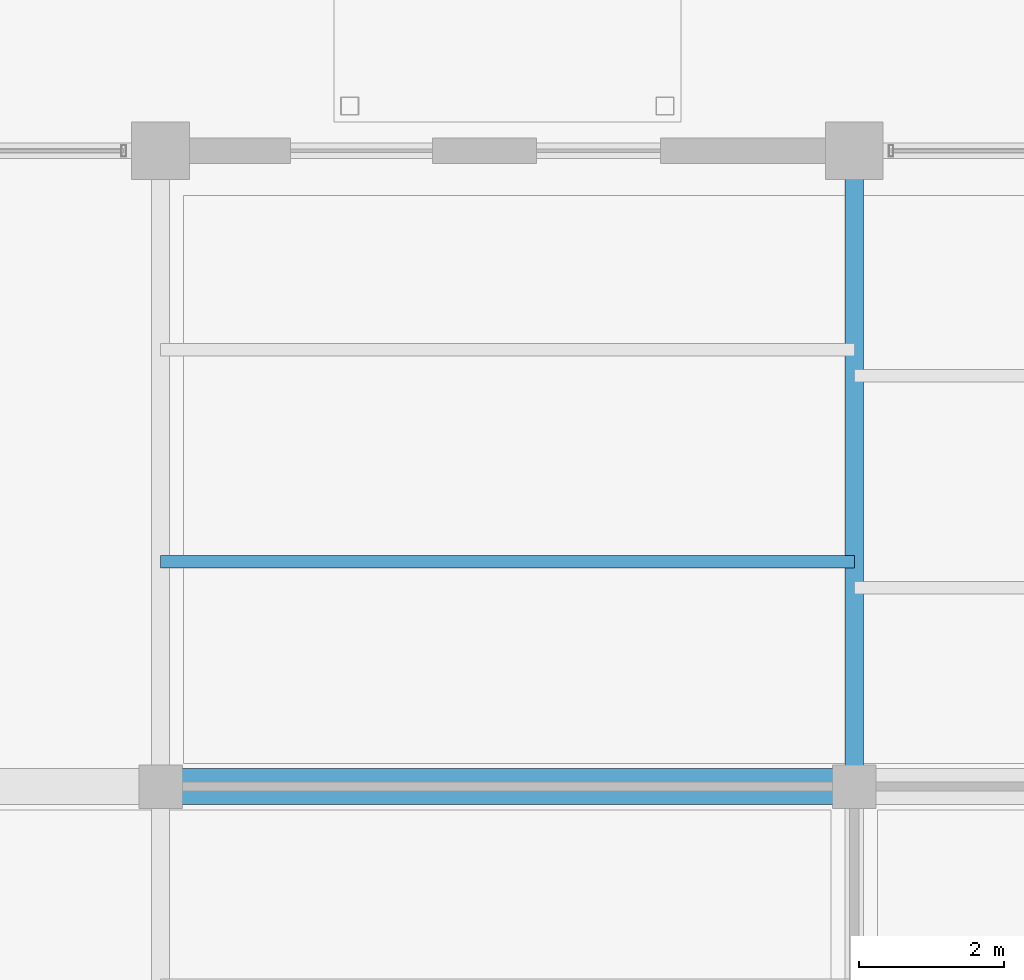
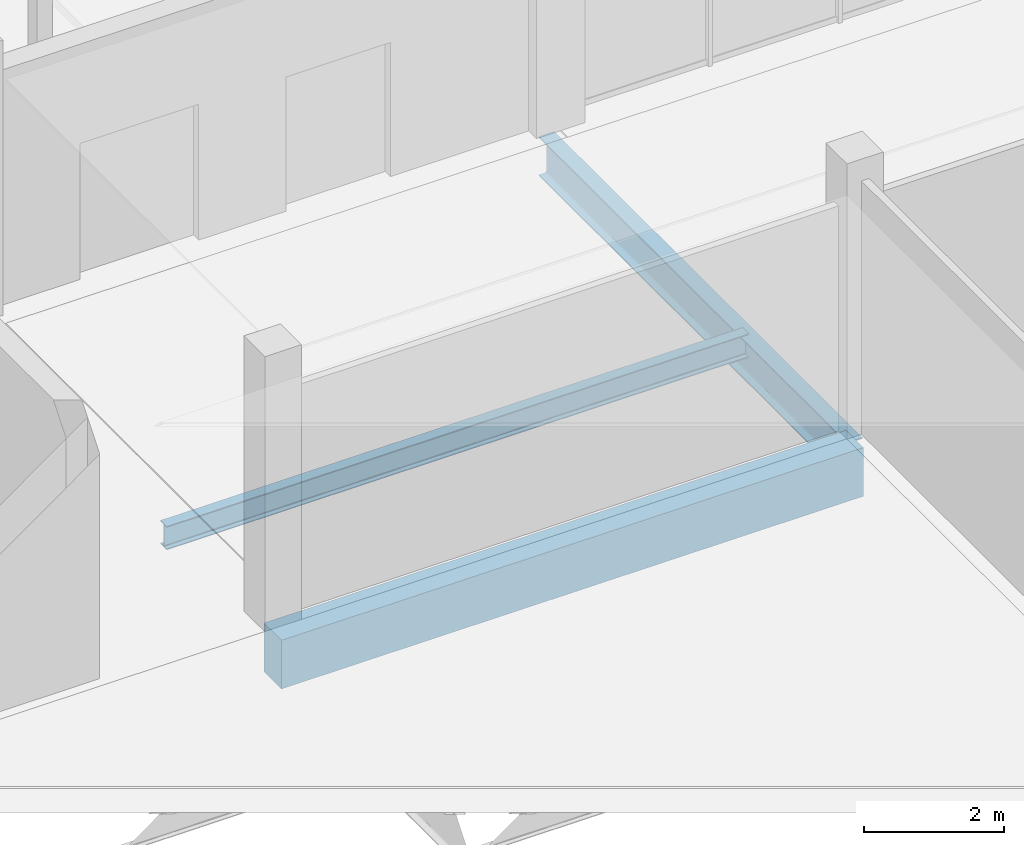
# One storey, part 49 of 116: 3 beams.
"""IFC4 building model written with IfcOpenShell, lengths in metres."""

from ifc_helpers import new_model, si_unit, direction, frame, origin, origin_2d, place, context, subcontext, project, spatial, rectangle, i_section, extrude, material, material_profile, profile_set, type_object, element, save


model = new_model("IFC4")

# Units and contexts
model_context = context("Model", 3, precision=1e-05, world=origin(), true_north=direction((0.0, 1.0)))
body_context = subcontext(model_context, "Body", "Model", "MODEL_VIEW")
ifc_project = project(units=[si_unit("LENGTHUNIT", "METRE"), si_unit("AREAUNIT", "SQUARE_METRE"), si_unit("VOLUMEUNIT", "CUBIC_METRE"), si_unit("PLANEANGLEUNIT", "RADIAN"), si_unit("MASSUNIT", "GRAM", prefix="KILO")], contexts=[model_context])

# Site, building, storey
site_placement = place(None, origin())
site = spatial("IfcSite", under=ifc_project, at=site_placement, CompositionType="ELEMENT")
building_placement = place(site_placement, origin())
building = spatial("IfcBuilding", under=site, at=building_placement, Name="Chalmorin Arch Market", CompositionType="ELEMENT")
storey_placement = place(building_placement, origin())
storey = spatial("IfcBuildingStorey", under=building, at=storey_placement, Name="L00", CompositionType="ELEMENT", Elevation=0.0)

# Beams
ifc_material_1 = material(Name="Concrete C40/50", Category="concrete")
ifc_material_profile_1 = material_profile(ifc_material_1, rectangle(XDim=0.5, YDim=0.85009765625, at=origin_2d()), Name="RC500X850")
ifc_profile_set_1 = profile_set([ifc_material_profile_1], Name="Concrete C40/50")
beam_type_1 = type_object("IfcBeamType", Name="PlinthConcreteGirder-500x850", PredefinedType="BEAM", material=ifc_profile_set_1)
beam_1_placement = place(storey_placement, frame((76.800048828125, 50.0, -0.70703125), z_axis=(1.0, 0.0, 0.0), x_axis=(0.0, 1.0, 0.0)))
element("IfcBeam", 1, at=beam_1_placement, inside=storey, type_object=beam_type_1, Name="BG-RC1-0055", PredefinedType="BEAM", context=body_context, shape_type="SweptSolid", body=[
    extrude(rectangle(XDim=0.5, YDim=0.85009765625, at=origin_2d()), origin(), (0.0, 0.0, 1.0), 9.599853515625),
])
ifc_material_2 = material(Name="Steel A992 Grade 50", Category="steel")
ifc_material_profile_2 = material_profile(ifc_material_2, i_section(OverallWidth=0.25390625, OverallDepth=0.68408203125, WebThickness=0.012451171875, FlangeThickness=0.018798828125, FilletRadius=0.02587890625, at=origin_2d()), Name="W27X94")
ifc_profile_set_2 = profile_set([ifc_material_profile_2], Name="Steel A992 Grade 50")
beam_type_2 = type_object("IfcBeamType", Name="PrimarySteelGirder-W27X94", PredefinedType="BEAM", material=ifc_profile_set_2)
beam_2_placement = place(storey_placement, frame((86.39990234375, 50.0, -0.64404296875), z_axis=(0.0, 1.0, 0.0), x_axis=(-1.0, 0.0, 0.0)))
element("IfcBeam", 2, at=beam_2_placement, inside=storey, type_object=beam_type_2, Name="BG-W27-0058", PredefinedType="BEAM", context=body_context, shape_type="SweptSolid", body=[
    extrude(i_section(OverallWidth=0.25390625, OverallDepth=0.68408203125, WebThickness=0.012451171875, FlangeThickness=0.018798828125, FilletRadius=0.02587890625, at=origin_2d()), origin(), (0.0, 0.0, 1.0), 8.800048828125),
])
ifc_material_profile_3 = material_profile(ifc_material_2, i_section(OverallWidth=0.178955078125, OverallDepth=0.409912109375, WebThickness=0.0087890625, FlangeThickness=0.014404296875, FilletRadius=0.01806640625, at=origin_2d()), Name="W16X45")
ifc_profile_set_3 = profile_set([ifc_material_profile_3], Name="Steel A992 Grade 50")
beam_type_3 = type_object("IfcBeamType", Name="SecondaryFloorJoist-W16X45", PredefinedType="JOIST", material=ifc_profile_set_3)
beam_3_placement = place(storey_placement, frame((76.800048828125, 53.11328125, -0.487060546875), z_axis=(1.0, 0.0, 0.0), x_axis=(0.0, 1.0, 0.0)))
element("IfcBeam", 3, at=beam_3_placement, inside=storey, type_object=beam_type_3, Name="BJ-W16A-0153", PredefinedType="JOIST", context=body_context, shape_type="SweptSolid", body=[
    extrude(i_section(OverallWidth=0.178955078125, OverallDepth=0.409912109375, WebThickness=0.0087890625, FlangeThickness=0.014404296875, FilletRadius=0.01806640625, at=origin_2d()), origin(), (0.0, 0.0, 1.0), 9.599853515625),
])

save(model, "model.ifc")
